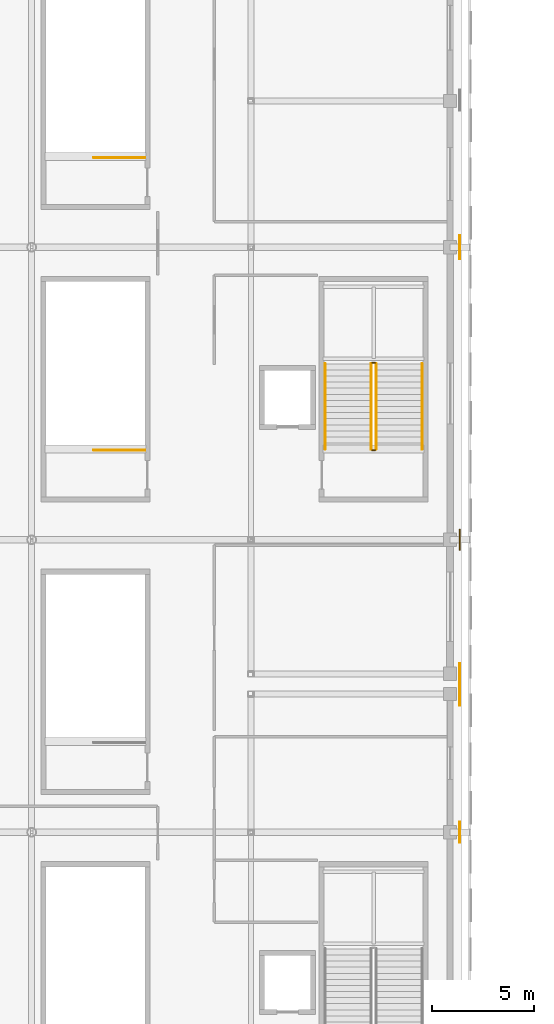
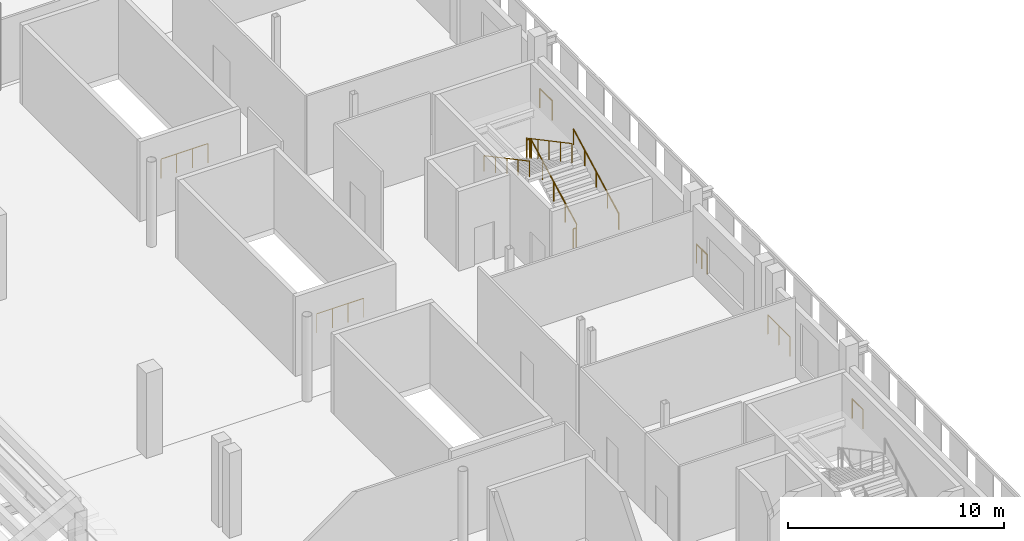
# One storey, part 70 of 74: 13 railings.
"""IFC4 building model written with IfcOpenShell, lengths in metres."""

from ifc_helpers import new_model, si_unit, direction, frame, origin, origin_2d, place, context, subcontext, project, spatial, circle, extrude, material, type_object, element, save


model = new_model("IFC4")

# Units and contexts
model_context = context("Model", 3, precision=1e-05, world=origin(), true_north=direction((0.0, 1.0)))
body_context = subcontext(model_context, "Body", "Model", "MODEL_VIEW")
ifc_project = project(units=[si_unit("LENGTHUNIT", "METRE"), si_unit("AREAUNIT", "SQUARE_METRE"), si_unit("VOLUMEUNIT", "CUBIC_METRE"), si_unit("PLANEANGLEUNIT", "RADIAN"), si_unit("MASSUNIT", "GRAM", prefix="KILO")], contexts=[model_context])

# Site, building, storey
site_placement = place(None, origin())
site = spatial("IfcSite", under=ifc_project, at=site_placement, CompositionType="ELEMENT")
building_placement = place(site_placement, origin())
building = spatial("IfcBuilding", under=site, at=building_placement, Name="Koshinbarg Plaza Stadium", CompositionType="ELEMENT")
storey_placement = place(building_placement, frame((0.0, 0.0, 15.0)))
storey = spatial("IfcBuildingStorey", under=building, at=storey_placement, Name="L03", CompositionType="ELEMENT", Elevation=15.0)

# Railings
ifc_material_1 = material(Name="Toughened laminated glass and stainless steel sightline balustrade", Category="steel")
railing_type_1 = type_object("IfcRailingType", Name="RL-BOWL-1100", PredefinedType="BALUSTRADE", material=ifc_material_1)
railing_1_placement = place(storey_placement, frame((218.875, 83.10009765625, 0.0)))
element("IfcRailing", 1, at=railing_1_placement, inside=storey, type_object=railing_type_1, Name="L03 deck edge safety balustrade 0242", PredefinedType="BALUSTRADE", context=body_context, shape_type="SweptSolid", body=[
    extrude(circle(Radius=0.02392578125, at=origin_2d()), frame((0.0, 0.0, 1.076171875), z_axis=(0.0, -1.0, 0.0), x_axis=(1.0, 0.0, 0.0)), (0.0, 0.0, 1.0), 0.5),
    extrude(circle(Radius=0.02099609375, at=origin_2d()), origin(), (0.0, 0.0, 1.0), 1.052001953125),
    extrude(circle(Radius=0.02099609375, at=origin_2d()), frame((0.0, -0.5, 0.0)), (0.0, 0.0, 1.0), 1.052001953125),
])
railing_2_placement = place(storey_placement, frame((218.875, 77.0, 0.0)))
element("IfcRailing", 2, at=railing_2_placement, inside=storey, type_object=railing_type_1, Name="L03 deck edge safety balustrade 0243", PredefinedType="BALUSTRADE", context=body_context, shape_type="SweptSolid", body=[
    extrude(circle(Radius=0.02392578125, at=origin_2d()), frame((0.0, 0.0, 1.076171875), z_axis=(0.0, -1.0, 0.0), x_axis=(1.0, 0.0, 0.0)), (0.0, 0.0, 1.0), 2.050048828125),
    extrude(circle(Radius=0.02099609375, at=origin_2d()), origin(), (0.0, 0.0, 1.0), 1.052001953125),
    extrude(circle(Radius=0.02099609375, at=origin_2d()), frame((0.0, -1.02490234375, 0.0)), (0.0, 0.0, 1.0), 1.052001953125),
    extrude(circle(Radius=0.02099609375, at=origin_2d()), frame((0.0, -2.050048828125, 0.0)), (0.0, 0.0, 1.0), 1.052001953125),
])
railing_3_placement = place(storey_placement, frame((218.875, 69.199951171875, 0.0)))
element("IfcRailing", 3, at=railing_3_placement, inside=storey, type_object=railing_type_1, Name="L03 deck edge safety balustrade 0244", PredefinedType="BALUSTRADE", context=body_context, shape_type="SweptSolid", body=[
    extrude(circle(Radius=0.02392578125, at=origin_2d()), frame((0.0, 0.0, 1.076171875), z_axis=(0.0, -1.0, 0.0), x_axis=(1.0, 0.0, 0.0)), (0.0, 0.0, 1.0), 1.0),
    extrude(circle(Radius=0.02099609375, at=origin_2d()), origin(), (0.0, 0.0, 1.0), 1.052001953125),
    extrude(circle(Radius=0.02099609375, at=origin_2d()), frame((0.0, -1.0, 0.0)), (0.0, 0.0, 1.0), 1.052001953125),
])
railing_4_placement = place(storey_placement, frame((218.875, 98.072998046875, 0.0)))
element("IfcRailing", 4, at=railing_4_placement, inside=storey, type_object=railing_type_1, Name="L03 deck edge safety balustrade 0250", PredefinedType="BALUSTRADE", context=body_context, shape_type="SweptSolid", body=[
    extrude(circle(Radius=0.02392578125, at=origin_2d()), frame((0.0, 0.0, 1.076171875), z_axis=(0.0, -1.0, 0.0), x_axis=(1.0, 0.0, 0.0)), (0.0, 0.0, 1.0), 1.14599609375),
    extrude(circle(Radius=0.02099609375, at=origin_2d()), origin(), (0.0, 0.0, 1.0), 1.052001953125),
    extrude(circle(Radius=0.02099609375, at=origin_2d()), frame((0.0, -1.14599609375, 0.0)), (0.0, 0.0, 1.0), 1.052001953125),
])
railing_5_placement = place(storey_placement, frame((218.875, 83.598388671875, 0.0)))
element("IfcRailing", 5, at=railing_5_placement, inside=storey, type_object=railing_type_1, Name="L03 deck edge safety balustrade 0251", PredefinedType="BALUSTRADE", context=body_context, shape_type="SweptSolid", body=[
    extrude(circle(Radius=0.02392578125, at=origin_2d()), frame((0.0, 0.0, 1.076171875), z_axis=(0.0, -1.0, 0.0), x_axis=(1.0, 0.0, 0.0)), (0.0, 0.0, 1.0), 0.498291015625),
    extrude(circle(Radius=0.02099609375, at=origin_2d()), origin(), (0.0, 0.0, 1.0), 1.052001953125),
    extrude(circle(Radius=0.02099609375, at=origin_2d()), frame((0.0, -0.498291015625, 0.0)), (0.0, 0.0, 1.0), 1.052001953125),
])
ifc_material_2 = material(Name="Galvanized painted steel guardrail", Category="steel")
railing_type_2 = type_object("IfcRailingType", Name="RL-GUARD-1100", PredefinedType="GUARDRAIL", material=ifc_material_2)
railing_6_placement = place(storey_placement, frame((214.760009765625, 87.56005859375, 0.159912109375)))
element("IfcRailing", 6, at=railing_6_placement, inside=storey, type_object=railing_type_2, Name="L03 C09 stair guard 1", PredefinedType="GUARDRAIL", context=body_context, shape_type="SweptSolid", body=[
    extrude(circle(Radius=0.02392578125, at=origin_2d()), frame((0.0, 0.0, 1.076171875), z_axis=(0.0, 0.882351521365, 0.470590897432), x_axis=(-1.0, 0.0, 0.0)), (0.0, 0.0, 1.0), 4.760009765625),
    extrude(circle(Radius=0.02099609375, at=origin_2d()), origin(), (0.0, 0.0, 1.0), 1.052001953125),
    extrude(circle(Radius=0.02099609375, at=origin_2d()), frame((0.0, 1.050048828125, 0.56005859375)), (0.0, 0.0, 1.0), 1.052001953125),
    extrude(circle(Radius=0.02099609375, at=origin_2d()), frame((0.0, 2.10009765625, 1.1201171875)), (0.0, 0.0, 1.0), 1.052001953125),
    extrude(circle(Radius=0.02099609375, at=origin_2d()), frame((0.0, 3.14990234375, 1.679931640625)), (0.0, 0.0, 1.0), 1.052001953125),
    extrude(circle(Radius=0.02099609375, at=origin_2d()), frame((0.0, 4.199951171875, 2.239990234375)), (0.0, 0.0, 1.0), 1.052001953125),
])
railing_7_placement = place(storey_placement, frame((214.7099609375, 91.81005859375, 2.39990234375)))
element("IfcRailing", 7, at=railing_7_placement, inside=storey, type_object=railing_type_2, Name="L03 C09 stair guard 2", PredefinedType="GUARDRAIL", context=body_context, shape_type="SweptSolid", body=[
    extrude(circle(Radius=0.02392578125, at=origin_2d()), frame((0.0, 0.0, 1.076171875), z_axis=(-1.0, 0.0, 0.0), x_axis=(0.0, -1.0, 0.0)), (0.0, 0.0, 1.0), 0.14990234375),
    extrude(circle(Radius=0.02099609375, at=origin_2d()), origin(), (0.0, 0.0, 1.0), 1.052001953125),
    extrude(circle(Radius=0.02099609375, at=origin_2d()), frame((-0.14990234375, 0.0, 0.0)), (0.0, 0.0, 1.0), 1.052001953125),
])
railing_8_placement = place(storey_placement, frame((214.510009765625, 91.760009765625, 2.56005859375)))
element("IfcRailing", 8, at=railing_8_placement, inside=storey, type_object=railing_type_2, Name="L03 C09 stair guard 3", PredefinedType="GUARDRAIL", context=body_context, shape_type="SweptSolid", body=[
    extrude(circle(Radius=0.02392578125, at=origin_2d()), frame((0.0, 0.0, 1.076171875), z_axis=(0.0, -0.882351521365, 0.470590897432), x_axis=(1.0, 0.0, 0.0)), (0.0, 0.0, 1.0), 4.760009765625),
    extrude(circle(Radius=0.02099609375, at=origin_2d()), origin(), (0.0, 0.0, 1.0), 1.052001953125),
    extrude(circle(Radius=0.02099609375, at=origin_2d()), frame((0.0, -1.050048828125, 0.56005859375)), (0.0, 0.0, 1.0), 1.052001953125),
    extrude(circle(Radius=0.02099609375, at=origin_2d()), frame((0.0, -2.10009765625, 1.1201171875)), (0.0, 0.0, 1.0), 1.052001953125),
    extrude(circle(Radius=0.02099609375, at=origin_2d()), frame((0.0, -3.14990234375, 1.679931640625)), (0.0, 0.0, 1.0), 1.052001953125),
    extrude(circle(Radius=0.02099609375, at=origin_2d()), frame((0.0, -4.199951171875, 2.239990234375)), (0.0, 0.0, 1.0), 1.052001953125),
])
railing_9_placement = place(storey_placement, frame((214.7099609375, 87.510009765625, 0.0)))
element("IfcRailing", 9, at=railing_9_placement, inside=storey, type_object=railing_type_2, Name="L03 C09 stair guard 4", PredefinedType="GUARDRAIL", context=body_context, shape_type="SweptSolid", body=[
    extrude(circle(Radius=0.02392578125, at=origin_2d()), frame((0.0, 0.0, 1.076171875), z_axis=(-1.0, 0.0, 0.0), x_axis=(0.0, -1.0, 0.0)), (0.0, 0.0, 1.0), 0.14990234375),
    extrude(circle(Radius=0.02099609375, at=origin_2d()), origin(), (0.0, 0.0, 1.0), 1.052001953125),
    extrude(circle(Radius=0.02099609375, at=origin_2d()), frame((-0.14990234375, 0.0, 0.0)), (0.0, 0.0, 1.0), 1.052001953125),
])
for number, where, name in (
    (10, (203.3701171875, 87.510009765625, 0.0), "L03 VX11 top stairwell guard 1"),
    (11, (203.3701171875, 101.909912109375, 0.0), "L03 VX12 top stairwell guard 1"),
):
    element("IfcRailing", number, at=place(storey_placement, frame(where)), inside=storey, type_object=railing_type_2, Name=name, PredefinedType="GUARDRAIL", context=body_context, shape_type="SweptSolid", body=[
        extrude(circle(Radius=0.02392578125, at=origin_2d()), frame((0.0, 0.0, 1.076171875), z_axis=(-1.0, 0.0, 0.0), x_axis=(0.0, -1.0, 0.0)), (0.0, 0.0, 1.0), 2.510009765625),
        extrude(circle(Radius=0.02099609375, at=origin_2d()), origin(), (0.0, 0.0, 1.0), 1.052001953125),
        extrude(circle(Radius=0.02099609375, at=origin_2d()), frame((-0.836669921875, 0.0, 0.0)), (0.0, 0.0, 1.0), 1.052001953125),
        extrude(circle(Radius=0.02099609375, at=origin_2d()), frame((-1.67333984375, 0.0, 0.0)), (0.0, 0.0, 1.0), 1.052001953125),
        extrude(circle(Radius=0.02099609375, at=origin_2d()), frame((-2.510009765625, 0.0, 0.0)), (0.0, 0.0, 1.0), 1.052001953125),
    ])
ifc_material_3 = material(Name="Brushed stainless steel handrail", Category="steel")
railing_type_3 = type_object("IfcRailingType", Name="RL-HAND-900", PredefinedType="HANDRAIL", material=ifc_material_3)
railing_10_placement = place(storey_placement, frame((217.02001953125, 87.56005859375, 0.159912109375)))
element("IfcRailing", 12, at=railing_10_placement, inside=storey, type_object=railing_type_3, Name="L03 C09 stair handrail 1", PredefinedType="HANDRAIL", context=body_context, shape_type="SweptSolid", body=[
    extrude(circle(Radius=0.02392578125, at=origin_2d()), frame((0.0, 0.0, 0.8759765625), z_axis=(0.0, 0.882351521365, 0.470590897432), x_axis=(-1.0, 0.0, 0.0)), (0.0, 0.0, 1.0), 4.760009765625),
    extrude(circle(Radius=0.02099609375, at=origin_2d()), origin(), (0.0, 0.0, 1.0), 0.851806640625),
    extrude(circle(Radius=0.02099609375, at=origin_2d()), frame((0.0, 1.050048828125, 0.56005859375)), (0.0, 0.0, 1.0), 0.851806640625),
    extrude(circle(Radius=0.02099609375, at=origin_2d()), frame((0.0, 2.10009765625, 1.1201171875)), (0.0, 0.0, 1.0), 0.851806640625),
    extrude(circle(Radius=0.02099609375, at=origin_2d()), frame((0.0, 3.14990234375, 1.679931640625)), (0.0, 0.0, 1.0), 0.851806640625),
    extrude(circle(Radius=0.02099609375, at=origin_2d()), frame((0.0, 4.199951171875, 2.239990234375)), (0.0, 0.0, 1.0), 0.851806640625),
])
railing_11_placement = place(storey_placement, frame((212.25, 91.760009765625, 2.56005859375)))
element("IfcRailing", 13, at=railing_11_placement, inside=storey, type_object=railing_type_3, Name="L03 C09 stair handrail 2", PredefinedType="HANDRAIL", context=body_context, shape_type="SweptSolid", body=[
    extrude(circle(Radius=0.02392578125, at=origin_2d()), frame((0.0, 0.0, 0.8759765625), z_axis=(0.0, -0.882351521365, 0.470590897432), x_axis=(1.0, 0.0, 0.0)), (0.0, 0.0, 1.0), 4.760009765625),
    extrude(circle(Radius=0.02099609375, at=origin_2d()), origin(), (0.0, 0.0, 1.0), 0.851806640625),
    extrude(circle(Radius=0.02099609375, at=origin_2d()), frame((0.0, -1.050048828125, 0.56005859375)), (0.0, 0.0, 1.0), 0.851806640625),
    extrude(circle(Radius=0.02099609375, at=origin_2d()), frame((0.0, -2.10009765625, 1.1201171875)), (0.0, 0.0, 1.0), 0.851806640625),
    extrude(circle(Radius=0.02099609375, at=origin_2d()), frame((0.0, -3.14990234375, 1.679931640625)), (0.0, 0.0, 1.0), 0.851806640625),
    extrude(circle(Radius=0.02099609375, at=origin_2d()), frame((0.0, -4.199951171875, 2.239990234375)), (0.0, 0.0, 1.0), 0.851806640625),
])

save(model, "model.ifc")
